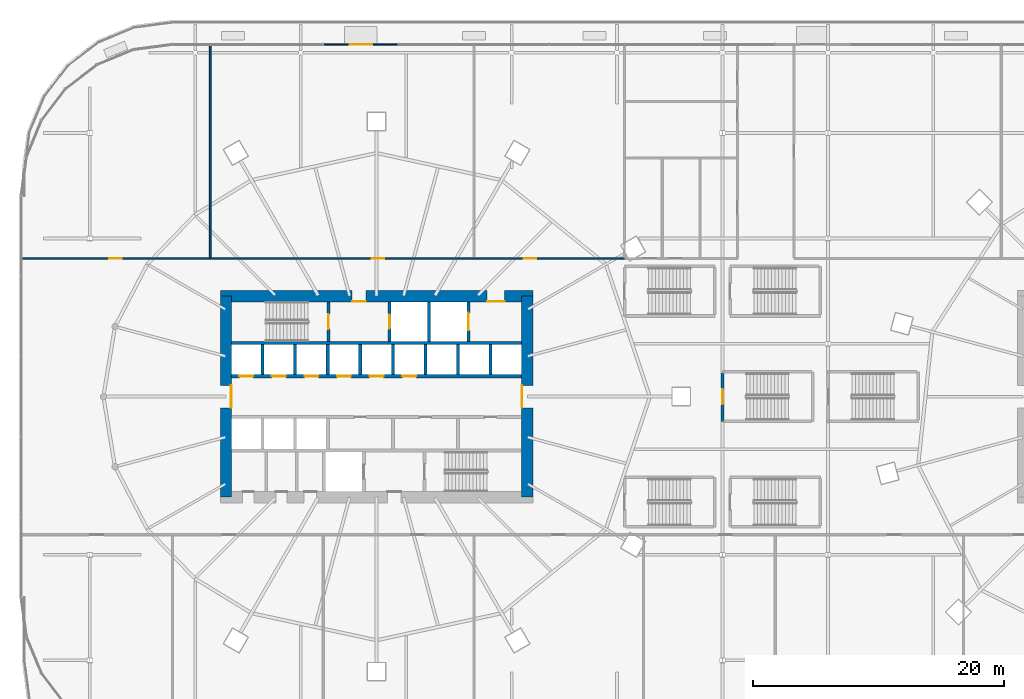
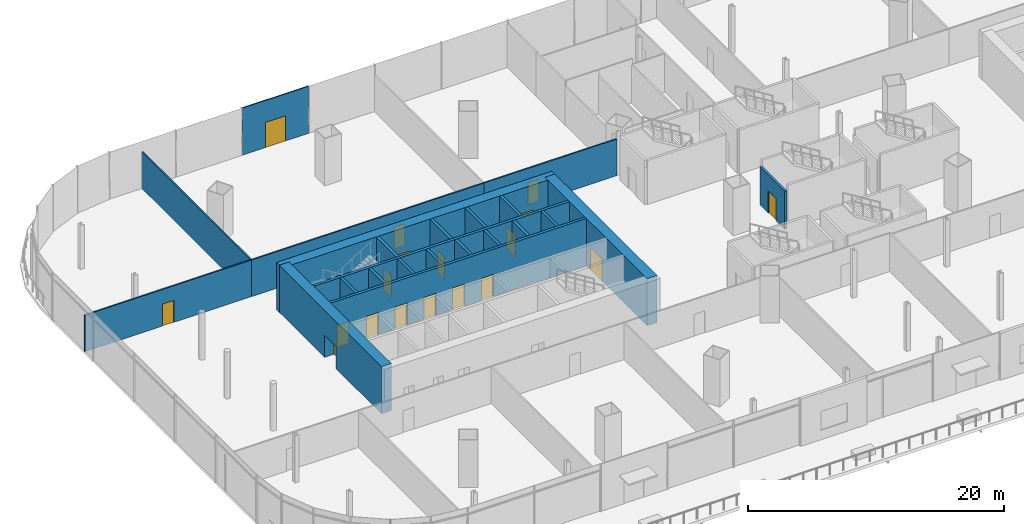
# One storey, part 35 of 52: 23 walls, 18 doors, 18 openings.
"""IFC4 building model written with IfcOpenShell, lengths in metres."""

from ifc_helpers import new_model, si_unit, direction, frame, frame_2d, origin, place, context, subcontext, project, spatial, rectangle, extrude, material, layer, layer_set, type_object, element, fill, save


model = new_model("IFC4")

# Units and contexts
model_context = context("Model", 3, precision=1e-05, world=origin(), true_north=direction((0.0, 1.0)))
body_context = subcontext(model_context, "Body", "Model", "MODEL_VIEW")
ifc_project = project(units=[si_unit("LENGTHUNIT", "METRE"), si_unit("AREAUNIT", "SQUARE_METRE"), si_unit("VOLUMEUNIT", "CUBIC_METRE"), si_unit("PLANEANGLEUNIT", "RADIAN"), si_unit("MASSUNIT", "GRAM", prefix="KILO")], contexts=[model_context])

# Site, building, storey
site_placement = place(None, origin())
site = spatial("IfcSite", under=ifc_project, at=site_placement, CompositionType="ELEMENT")
building_placement = place(site_placement, origin())
building = spatial("IfcBuilding", under=site, at=building_placement, Name="Rimbun Link Towers", CompositionType="ELEMENT")
storey_placement = place(building_placement, frame((0.0, 0.0, 21.0)))
storey = spatial("IfcBuildingStorey", under=building, at=storey_placement, Name="L04", CompositionType="ELEMENT", Elevation=21.0)

# Wall, openings, doors
ifc_material_1 = material(Name="Concrete C60/75", Category="concrete")
ifc_layer_1 = layer(ifc_material_1, 0.89990234375)
ifc_layer_set_1 = layer_set([ifc_layer_1], Name="Core shear wall 900")
wall_type_1 = type_object("IfcWallType", Name="Core shear wall 900", PredefinedType="SHEAR", material=ifc_layer_set_1)
wall_1_placement = place(storey_placement, frame((-44.199951171875, 8.0, 0.0), z_axis=(0.0, 0.0, 1.0), x_axis=(1.0, 0.0, 0.0)))
wall_1 = element("IfcWall", 1, at=wall_1_placement, inside=storey, type_object=wall_type_1, Name="L04 T1 core wall N", PredefinedType="SHEAR", context=body_context, shape_type="SweptSolid", body=[
    extrude(rectangle(XDim=24.89990234375, YDim=0.89990234375, at=frame_2d((12.449951171875, 0.0))), origin(), (0.0, 0.0, 1.0), 4.5),
])
opening_1_placement = place(wall_1_placement, frame((10.5, 0.0, 0.0)))
opening_1 = element("IfcOpeningElement", 2, at=opening_1_placement, cuts=wall_1, Name="Opening C1DCF01N", PredefinedType="OPENING", context=body_context, shape_type="SweptSolid", body=[
    extrude(rectangle(XDim=1.10009765625, YDim=2.10009765625, at=frame_2d((0.550048828125, 1.050048828125))), frame((0.0, 0.4599609375, 0.0), z_axis=(0.0, -1.0, 0.0), x_axis=(1.0, 0.0, 0.0)), (0.0, 0.0, 1.0), 0.919921875),
])
opening_2_placement = place(wall_1_placement, frame((21.25, 0.0, 0.0)))
opening_2 = element("IfcOpeningElement", 3, at=opening_2_placement, cuts=wall_1, Name="Opening C1DSL02N", PredefinedType="OPENING", context=body_context, shape_type="SweptSolid", body=[
    extrude(rectangle(XDim=1.39990234375, YDim=2.10009765625, at=frame_2d((0.699951171875, 1.050048828125))), frame((0.0, 0.4599609375, 0.0), z_axis=(0.0, -1.0, 0.0), x_axis=(1.0, 0.0, 0.0)), (0.0, 0.0, 1.0), 0.919921875),
])
ifc_material_2 = material(Name="Steel fire door set", Category="steel")
door_type_1 = type_object("IfcDoorType", Name="Core fire door single", OperationType="SINGLE_SWING_LEFT", PredefinedType="DOOR", material=ifc_material_2)
door_1_placement = place(opening_1_placement, origin())
door_1 = element("IfcDoor", 4, at=door_1_placement, inside=storey, type_object=door_type_1, Name="L04 T1 firefighting lobby n door", OperationType="SINGLE_SWING_LEFT", OverallHeight=2.10009765625, OverallWidth=1.10009765625, PredefinedType="DOOR", context=body_context, shape_type="SweptSolid", body=[
    extrude(rectangle(XDim=1.10009765625, YDim=2.10009765625, at=frame_2d((0.550048828125, 1.050048828125))), frame((0.0, -0.39990234375, 0.0), z_axis=(0.0, -1.0, 0.0), x_axis=(1.0, 0.0, 0.0)), (0.0, 0.0, 1.0), 0.050048828125),
])
fill(opening_1, door_1)
ifc_material_3 = material(Name="Steel fire door set", Category="steel")
door_type_2 = type_object("IfcDoorType", Name="Service lobby door double", OperationType="DOUBLE_DOOR_SINGLE_SWING", PredefinedType="DOOR", material=ifc_material_3)
door_2_placement = place(opening_2_placement, origin())
door_2 = element("IfcDoor", 5, at=door_2_placement, inside=storey, type_object=door_type_2, Name="L04 T1 service lobby door", OperationType="DOUBLE_DOOR_SINGLE_SWING", OverallHeight=2.10009765625, OverallWidth=1.39990234375, PredefinedType="DOOR", context=body_context, shape_type="SweptSolid", body=[
    extrude(rectangle(XDim=1.39990234375, YDim=2.10009765625, at=frame_2d((0.699951171875, 1.050048828125))), frame((0.0, -0.39990234375, 0.0), z_axis=(0.0, -1.0, 0.0), x_axis=(1.0, 0.0, 0.0)), (0.0, 0.0, 1.0), 0.050048828125),
])
fill(opening_2, door_2)

# Wall, opening, door
wall_2_placement = place(storey_placement, frame((-19.75, -8.0, 0.0), z_axis=(0.0, 0.0, 1.0), x_axis=(0.0, 1.0, 0.0)))
wall_2 = element("IfcWall", 6, at=wall_2_placement, inside=storey, type_object=wall_type_1, Name="L04 T1 core wall E", PredefinedType="SHEAR", context=body_context, shape_type="SweptSolid", body=[
    extrude(rectangle(XDim=16.0, YDim=0.89990234375, at=frame_2d((8.0, 0.0))), origin(), (0.0, 0.0, 1.0), 4.5),
])
opening_3_placement = place(wall_2_placement, frame((7.10009765625, 0.0, 0.0)))
opening_3 = element("IfcOpeningElement", 7, at=opening_3_placement, cuts=wall_2, Name="Opening C1DCL01E", PredefinedType="OPENING", context=body_context, shape_type="SweptSolid", body=[
    extrude(rectangle(XDim=1.800048828125, YDim=2.10009765625, at=frame_2d((0.89990234375, 1.050048828125))), frame((0.0, 0.4599609375, 0.0), z_axis=(0.0, -1.0, 0.0), x_axis=(1.0, 0.0, 0.0)), (0.0, 0.0, 1.0), 0.919921875),
])
ifc_material_4 = material(Name="Steel fire door set", Category="steel")
door_type_3 = type_object("IfcDoorType", Name="Core lobby door double", OperationType="DOUBLE_DOOR_SINGLE_SWING", PredefinedType="DOOR", material=ifc_material_4)
door_3_placement = place(opening_3_placement, origin())
door_3 = element("IfcDoor", 8, at=door_3_placement, inside=storey, type_object=door_type_3, Name="L04 T1 lift lobby door", OperationType="DOUBLE_DOOR_SINGLE_SWING", OverallHeight=2.10009765625, OverallWidth=1.800048828125, PredefinedType="DOOR", context=body_context, shape_type="SweptSolid", body=[
    extrude(rectangle(XDim=1.800048828125, YDim=2.10009765625, at=frame_2d((0.89990234375, 1.050048828125))), frame((0.0, 0.4501953125, 0.0), z_axis=(0.0, -1.0, 0.0), x_axis=(1.0, 0.0, 0.0)), (0.0, 0.0, 1.0), 0.050048828125),
])
fill(opening_3, door_3)

wall_3_placement = place(storey_placement, frame((-43.75, -8.0, 0.0), z_axis=(0.0, 0.0, 1.0), x_axis=(0.0, 1.0, 0.0)))
wall_3 = element("IfcWall", 9, at=wall_3_placement, inside=storey, type_object=wall_type_1, Name="L04 T1 core wall W", PredefinedType="SHEAR", context=body_context, shape_type="SweptSolid", body=[
    extrude(rectangle(XDim=16.0, YDim=0.89990234375, at=frame_2d((8.0, 0.0))), origin(), (0.0, 0.0, 1.0), 4.5),
])
opening_4_placement = place(wall_3_placement, frame((7.10009765625, 0.0, 0.0)))
opening_4 = element("IfcOpeningElement", 10, at=opening_4_placement, cuts=wall_3, Name="Opening C1DCL01W", PredefinedType="OPENING", context=body_context, shape_type="SweptSolid", body=[
    extrude(rectangle(XDim=1.800048828125, YDim=2.10009765625, at=frame_2d((0.89990234375, 1.050048828125))), frame((0.0, 0.4599609375, 0.0), z_axis=(0.0, -1.0, 0.0), x_axis=(1.0, 0.0, 0.0)), (0.0, 0.0, 1.0), 0.919921875),
])
door_4_placement = place(opening_4_placement, origin())
door_4 = element("IfcDoor", 11, at=door_4_placement, inside=storey, type_object=door_type_3, Name="L04 T1 lift lobby door", OperationType="DOUBLE_DOOR_SINGLE_SWING", OverallHeight=2.10009765625, OverallWidth=1.800048828125, PredefinedType="DOOR", context=body_context, shape_type="SweptSolid", body=[
    extrude(rectangle(XDim=1.800048828125, YDim=2.10009765625, at=frame_2d((0.89990234375, 1.050048828125))), frame((0.0, -0.39990234375, 0.0), z_axis=(0.0, -1.0, 0.0), x_axis=(1.0, 0.0, 0.0)), (0.0, 0.0, 1.0), 0.050048828125),
])
fill(opening_4, door_4)

ifc_material_5 = material(Name="Aluminium framed insulated infill panel", Category="aluminium")
ifc_layer_2 = layer(ifc_material_5, 0.10009765625)
ifc_layer_set_2 = layer_set([ifc_layer_2], Name="ED framed infill wall 100")
wall_type_2 = type_object("IfcWallType", Name="ED framed infill wall 100", PredefinedType="STANDARD", material=ifc_layer_set_2)
wall_4_placement = place(storey_placement, frame((-35.97998046875, 28.050048828125, 0.0), z_axis=(0.0, 0.0, 1.0), x_axis=(1.0, 0.0, 0.0)))
wall_4 = element("IfcWall", 12, at=wall_4_placement, inside=storey, type_object=wall_type_2, Name="Framed door bay wall", PredefinedType="STANDARD", context=body_context, shape_type="SweptSolid", body=[
    extrude(rectangle(XDim=5.9599609375, YDim=0.10009765625, at=frame_2d((2.97998046875, 0.0))), origin(), (0.0, 0.0, 1.0), 4.5),
])
opening_5_placement = place(wall_4_placement, frame((2.080078125, 0.0, 0.0)))
opening_5 = element("IfcOpeningElement", 13, at=opening_5_placement, cuts=wall_4, Name="Opening ED40", PredefinedType="OPENING", context=body_context, shape_type="SweptSolid", body=[
    extrude(rectangle(XDim=1.800048828125, YDim=2.39990234375, at=frame_2d((0.89990234375, 1.199951171875))), frame((0.0, 0.06005859375, 0.0), z_axis=(0.0, -1.0, 0.0), x_axis=(1.0, 0.0, 0.0)), (0.0, 0.0, 1.0), 0.1201171875),
])
ifc_material_6 = material(Name="Aluminium framed glazed door, low-iron glass", Category="aluminium")
door_type_4 = type_object("IfcDoorType", Name="ED terrace door double leaf 1800X2400", OperationType="DOUBLE_DOOR_SINGLE_SWING", PredefinedType="DOOR", material=ifc_material_6)
door_5_placement = place(opening_5_placement, origin())
door_5 = element("IfcDoor", 14, at=door_5_placement, inside=storey, type_object=door_type_4, Name="Terrace door", OperationType="SINGLE_SWING_LEFT", OverallHeight=2.39990234375, OverallWidth=1.800048828125, PredefinedType="DOOR", context=body_context, shape_type="SweptSolid", body=[
    extrude(rectangle(XDim=1.800048828125, YDim=2.39990234375, at=frame_2d((0.89990234375, 1.199951171875))), frame((0.0, 0.02490234375, 0.0), z_axis=(0.0, -1.0, 0.0), x_axis=(1.0, 0.0, 0.0)), (0.0, 0.0, 1.0), 0.050048828125),
])
fill(opening_5, door_5)

ifc_material_7 = material(Name="Gypsum board on steel studs", Category="steel")
ifc_layer_3 = layer(ifc_material_7, 0.125)
ifc_layer_set_3 = layer_set([ifc_layer_3], Name="Partition 125 board on studs")
wall_type_3 = type_object("IfcWallType", Name="Partition 125 board on studs", PredefinedType="PARTITIONING", material=ifc_layer_set_3)
wall_5_placement = place(storey_placement, frame((-45.0, 11.0, 0.0), z_axis=(0.0, 0.0, 1.0), x_axis=(-1.0, 0.0, 0.0)))
wall_5 = element("IfcWall", 15, at=wall_5_placement, inside=storey, type_object=wall_type_3, Name="PD/PW/L04/038", PredefinedType="PARTITIONING", context=body_context, shape_type="SweptSolid", body=[
    extrude(rectangle(XDim=15.080078125, YDim=0.125, at=frame_2d((7.5400390625, 0.0))), origin(), (0.0, 0.0, 1.0), 3.49609375),
])
opening_6_placement = place(wall_5_placement, frame((7.0400390625, 0.0, 0.0)))
opening_6 = element("IfcOpeningElement", 16, at=opening_6_placement, cuts=wall_5, Name="Opening PD D04.16", PredefinedType="OPENING", context=body_context, shape_type="SweptSolid", body=[
    extrude(rectangle(XDim=1.0, YDim=2.10009765625, at=frame_2d((0.5, 1.050048828125))), frame((0.0, 0.072509765625, 0.0), z_axis=(0.0, -1.0, 0.0), x_axis=(1.0, 0.0, 0.0)), (0.0, 0.0, 1.0), 0.14501953125),
])
ifc_material_8 = material(Name="Timber door set", Category="wood")
door_type_5 = type_object("IfcDoorType", Name="Door single leaf 1000 x 2100", OperationType="NOTDEFINED", PredefinedType="DOOR", material=ifc_material_8)
door_6_placement = place(opening_6_placement, origin())
door_6 = element("IfcDoor", 17, at=door_6_placement, inside=storey, type_object=door_type_5, Name="PD/DR/L04/016", OperationType="SINGLE_SWING_LEFT", OverallHeight=2.10009765625, OverallWidth=1.0, PredefinedType="DOOR", context=body_context, shape_type="SweptSolid", body=[
    extrude(rectangle(XDim=1.0, YDim=2.10009765625, at=frame_2d((0.5, 1.050048828125))), frame((0.0, 0.02490234375, 0.0), z_axis=(0.0, -1.0, 0.0), x_axis=(1.0, 0.0, 0.0)), (0.0, 0.0, 1.0), 0.050048828125),
])
fill(opening_6, door_6)

wall_6_placement = place(storey_placement, frame((-24.0, 11.0, 0.0), z_axis=(0.0, 0.0, 1.0), x_axis=(-1.0, 0.0, 0.0)))
wall_6 = element("IfcWall", 18, at=wall_6_placement, inside=storey, type_object=wall_type_3, Name="PD/PW/L04/039", PredefinedType="PARTITIONING", context=body_context, shape_type="SweptSolid", body=[
    extrude(rectangle(XDim=21.0, YDim=0.125, at=frame_2d((10.5, 0.0))), origin(), (0.0, 0.0, 1.0), 3.49609375),
])
opening_7_placement = place(wall_6_placement, frame((7.135009765625, 0.0, 0.0)))
opening_7 = element("IfcOpeningElement", 19, at=opening_7_placement, cuts=wall_6, Name="Opening PD D04.17", PredefinedType="OPENING", context=body_context, shape_type="SweptSolid", body=[
    extrude(rectangle(XDim=1.0, YDim=2.10009765625, at=frame_2d((0.5, 1.050048828125))), frame((0.0, 0.072509765625, 0.0), z_axis=(0.0, -1.0, 0.0), x_axis=(1.0, 0.0, 0.0)), (0.0, 0.0, 1.0), 0.14501953125),
])
door_7_placement = place(opening_7_placement, origin())
door_7 = element("IfcDoor", 20, at=door_7_placement, inside=storey, type_object=door_type_5, Name="PD/DR/L04/017", OperationType="SINGLE_SWING_RIGHT", OverallHeight=2.10009765625, OverallWidth=1.0, PredefinedType="DOOR", context=body_context, shape_type="SweptSolid", body=[
    extrude(rectangle(XDim=1.0, YDim=2.10009765625, at=frame_2d((0.5, 1.050048828125))), frame((0.0, 0.02490234375, 0.0), z_axis=(0.0, -1.0, 0.0), x_axis=(1.0, 0.0, 0.0)), (0.0, 0.0, 1.0), 0.050048828125),
])
fill(opening_7, door_7)

wall_7_placement = place(storey_placement, frame((-12.0, 11.0, 0.0), z_axis=(0.0, 0.0, 1.0), x_axis=(-1.0, 0.0, 0.0)))
wall_7 = element("IfcWall", 21, at=wall_7_placement, inside=storey, type_object=wall_type_3, Name="PD/PW/L04/040", PredefinedType="PARTITIONING", context=body_context, shape_type="SweptSolid", body=[
    extrude(rectangle(XDim=12.0, YDim=0.125, at=frame_2d((6.0, 0.0))), origin(), (0.0, 0.0, 1.0), 3.49609375),
])
opening_8_placement = place(wall_7_placement, frame((7.014892578125, 0.0, 0.0)))
opening_8 = element("IfcOpeningElement", 22, at=opening_8_placement, cuts=wall_7, Name="Opening PD D04.18", PredefinedType="OPENING", context=body_context, shape_type="SweptSolid", body=[
    extrude(rectangle(XDim=1.0, YDim=2.10009765625, at=frame_2d((0.5, 1.050048828125))), frame((0.0, 0.072509765625, 0.0), z_axis=(0.0, -1.0, 0.0), x_axis=(1.0, 0.0, 0.0)), (0.0, 0.0, 1.0), 0.14501953125),
])
door_8_placement = place(opening_8_placement, origin())
door_8 = element("IfcDoor", 23, at=door_8_placement, inside=storey, type_object=door_type_5, Name="PD/DR/L04/018", OperationType="SINGLE_SWING_LEFT", OverallHeight=2.10009765625, OverallWidth=1.0, PredefinedType="DOOR", context=body_context, shape_type="SweptSolid", body=[
    extrude(rectangle(XDim=1.0, YDim=2.10009765625, at=frame_2d((0.5, 1.050048828125))), frame((0.0, 0.02490234375, 0.0), z_axis=(0.0, -1.0, 0.0), x_axis=(1.0, 0.0, 0.0)), (0.0, 0.0, 1.0), 0.050048828125),
])
fill(opening_8, door_8)

# Walls
wall_8_placement = place(storey_placement, frame((-45.0, 11.0625, 0.0), z_axis=(0.0, 0.0, 1.0), x_axis=(0.0, 1.0, 0.0)))
element("IfcWall", 24, at=wall_8_placement, inside=storey, type_object=wall_type_3, Name="PD/PW/L04/067", PredefinedType="PARTITIONING", context=body_context, shape_type="SweptSolid", body=[
    extrude(rectangle(XDim=17.017578125, YDim=0.125, at=frame_2d((8.5087890625, 0.0))), origin(), (0.0, 0.0, 1.0), 3.49609375),
])
ifc_material_9 = material(Name="Concrete C60/75", Category="concrete")
ifc_layer_4 = layer(ifc_material_9, 0.25)
ifc_layer_set_4 = layer_set([ifc_layer_4], Name="Shaft wall 250")
wall_type_4 = type_object("IfcWallType", Name="Shaft wall 250", PredefinedType="SHEAR", material=ifc_layer_set_4)
wall_9_placement = place(storey_placement, frame((-43.300048828125, 4.27490234375, 0.0), z_axis=(0.0, 0.0, 1.0), x_axis=(1.0, 0.0, 0.0)))
element("IfcWall", 25, at=wall_9_placement, inside=storey, type_object=wall_type_4, Name="L04 T1 core wall BN", PredefinedType="SHEAR", context=body_context, shape_type="SweptSolid", body=[
    extrude(rectangle(XDim=23.10009765625, YDim=0.25, at=frame_2d((11.550048828125, 0.0))), origin(), (0.0, 0.0, 1.0), 4.5),
])

# Wall, openings, doors
wall_10_placement = place(storey_placement, frame((-43.300048828125, 1.625, 0.0), z_axis=(0.0, 0.0, 1.0), x_axis=(1.0, 0.0, 0.0)))
wall_10 = element("IfcWall", 26, at=wall_10_placement, inside=storey, type_object=wall_type_4, Name="L04 T1 core wall FN", PredefinedType="SHEAR", context=body_context, shape_type="SweptSolid", body=[
    extrude(rectangle(XDim=23.10009765625, YDim=0.25, at=frame_2d((11.550048828125, 0.0))), origin(), (0.0, 0.0, 1.0), 4.5),
])
opening_9_placement = place(wall_10_placement, frame((0.622314453125, 0.0, 0.0)))
opening_9 = element("IfcOpeningElement", 27, at=opening_9_placement, cuts=wall_10, Name="Opening LD-T1-LR1", PredefinedType="OPENING", context=body_context, shape_type="SweptSolid", body=[
    extrude(rectangle(XDim=1.10009765625, YDim=2.10009765625, at=frame_2d((0.550048828125, 1.050048828125))), frame((0.0, 0.135009765625, 0.0), z_axis=(0.0, -1.0, 0.0), x_axis=(1.0, 0.0, 0.0)), (0.0, 0.0, 1.0), 0.27001953125),
])
opening_10_placement = place(wall_10_placement, frame((3.216796875, 0.0, 0.0)))
opening_10 = element("IfcOpeningElement", 28, at=opening_10_placement, cuts=wall_10, Name="Opening LD-T1-LR2", PredefinedType="OPENING", context=body_context, shape_type="SweptSolid", body=[
    extrude(rectangle(XDim=1.10009765625, YDim=2.10009765625, at=frame_2d((0.550048828125, 1.050048828125))), frame((0.0, 0.135009765625, 0.0), z_axis=(0.0, -1.0, 0.0), x_axis=(1.0, 0.0, 0.0)), (0.0, 0.0, 1.0), 0.27001953125),
])
opening_11_placement = place(wall_10_placement, frame((5.81103515625, 0.0, 0.0)))
opening_11 = element("IfcOpeningElement", 29, at=opening_11_placement, cuts=wall_10, Name="Opening LD-T1-LR3", PredefinedType="OPENING", context=body_context, shape_type="SweptSolid", body=[
    extrude(rectangle(XDim=1.10009765625, YDim=2.10009765625, at=frame_2d((0.550048828125, 1.050048828125))), frame((0.0, 0.135009765625, 0.0), z_axis=(0.0, -1.0, 0.0), x_axis=(1.0, 0.0, 0.0)), (0.0, 0.0, 1.0), 0.27001953125),
])
opening_12_placement = place(wall_10_placement, frame((8.405517578125, 0.0, 0.0)))
opening_12 = element("IfcOpeningElement", 30, at=opening_12_placement, cuts=wall_10, Name="Opening LD-T1-LR4", PredefinedType="OPENING", context=body_context, shape_type="SweptSolid", body=[
    extrude(rectangle(XDim=1.10009765625, YDim=2.10009765625, at=frame_2d((0.550048828125, 1.050048828125))), frame((0.0, 0.135009765625, 0.0), z_axis=(0.0, -1.0, 0.0), x_axis=(1.0, 0.0, 0.0)), (0.0, 0.0, 1.0), 0.27001953125),
])
opening_13_placement = place(wall_10_placement, frame((11.0, 0.0, 0.0)))
opening_13 = element("IfcOpeningElement", 31, at=opening_13_placement, cuts=wall_10, Name="Opening LD-T1-LR5", PredefinedType="OPENING", context=body_context, shape_type="SweptSolid", body=[
    extrude(rectangle(XDim=1.10009765625, YDim=2.10009765625, at=frame_2d((0.550048828125, 1.050048828125))), frame((0.0, 0.135009765625, 0.0), z_axis=(0.0, -1.0, 0.0), x_axis=(1.0, 0.0, 0.0)), (0.0, 0.0, 1.0), 0.27001953125),
])
opening_14_placement = place(wall_10_placement, frame((13.594482421875, 0.0, 0.0)))
opening_14 = element("IfcOpeningElement", 32, at=opening_14_placement, cuts=wall_10, Name="Opening LD-T1-LR6", PredefinedType="OPENING", context=body_context, shape_type="SweptSolid", body=[
    extrude(rectangle(XDim=1.10009765625, YDim=2.10009765625, at=frame_2d((0.550048828125, 1.050048828125))), frame((0.0, 0.135009765625, 0.0), z_axis=(0.0, -1.0, 0.0), x_axis=(1.0, 0.0, 0.0)), (0.0, 0.0, 1.0), 0.27001953125),
])
ifc_material_10 = material(Name="Stainless steel grade 316", Category="steel")
door_type_6 = type_object("IfcDoorType", Name="Lift landing door", OperationType="DOUBLE_DOOR_SLIDING", PredefinedType="DOOR", material=ifc_material_10)
door_9_placement = place(opening_9_placement, origin())
door_9 = element("IfcDoor", 33, at=door_9_placement, inside=storey, type_object=door_type_6, Name="L04 T1 lift LR1 landing door", OperationType="DOUBLE_DOOR_SLIDING", OverallHeight=2.10009765625, OverallWidth=1.10009765625, PredefinedType="DOOR", context=body_context, shape_type="SweptSolid", body=[
    extrude(rectangle(XDim=1.10009765625, YDim=2.10009765625, at=frame_2d((0.550048828125, 1.050048828125))), frame((0.0, 0.02490234375, 0.0), z_axis=(0.0, -1.0, 0.0), x_axis=(1.0, 0.0, 0.0)), (0.0, 0.0, 1.0), 0.050048828125),
])
fill(opening_9, door_9)
door_10_placement = place(opening_10_placement, origin())
door_10 = element("IfcDoor", 34, at=door_10_placement, inside=storey, type_object=door_type_6, Name="L04 T1 lift LR2 landing door", OperationType="DOUBLE_DOOR_SLIDING", OverallHeight=2.10009765625, OverallWidth=1.10009765625, PredefinedType="DOOR", context=body_context, shape_type="SweptSolid", body=[
    extrude(rectangle(XDim=1.10009765625, YDim=2.10009765625, at=frame_2d((0.550048828125, 1.050048828125))), frame((0.0, 0.02490234375, 0.0), z_axis=(0.0, -1.0, 0.0), x_axis=(1.0, 0.0, 0.0)), (0.0, 0.0, 1.0), 0.050048828125),
])
fill(opening_10, door_10)
door_11_placement = place(opening_11_placement, origin())
door_11 = element("IfcDoor", 35, at=door_11_placement, inside=storey, type_object=door_type_6, Name="L04 T1 lift LR3 landing door", OperationType="DOUBLE_DOOR_SLIDING", OverallHeight=2.10009765625, OverallWidth=1.10009765625, PredefinedType="DOOR", context=body_context, shape_type="SweptSolid", body=[
    extrude(rectangle(XDim=1.10009765625, YDim=2.10009765625, at=frame_2d((0.550048828125, 1.050048828125))), frame((0.0, 0.02490234375, 0.0), z_axis=(0.0, -1.0, 0.0), x_axis=(1.0, 0.0, 0.0)), (0.0, 0.0, 1.0), 0.050048828125),
])
fill(opening_11, door_11)
door_12_placement = place(opening_12_placement, origin())
door_12 = element("IfcDoor", 36, at=door_12_placement, inside=storey, type_object=door_type_6, Name="L04 T1 lift LR4 landing door", OperationType="DOUBLE_DOOR_SLIDING", OverallHeight=2.10009765625, OverallWidth=1.10009765625, PredefinedType="DOOR", context=body_context, shape_type="SweptSolid", body=[
    extrude(rectangle(XDim=1.10009765625, YDim=2.10009765625, at=frame_2d((0.550048828125, 1.050048828125))), frame((0.0, 0.02490234375, 0.0), z_axis=(0.0, -1.0, 0.0), x_axis=(1.0, 0.0, 0.0)), (0.0, 0.0, 1.0), 0.050048828125),
])
fill(opening_12, door_12)
door_13_placement = place(opening_13_placement, origin())
door_13 = element("IfcDoor", 37, at=door_13_placement, inside=storey, type_object=door_type_6, Name="L04 T1 lift LR5 landing door", OperationType="DOUBLE_DOOR_SLIDING", OverallHeight=2.10009765625, OverallWidth=1.10009765625, PredefinedType="DOOR", context=body_context, shape_type="SweptSolid", body=[
    extrude(rectangle(XDim=1.10009765625, YDim=2.10009765625, at=frame_2d((0.550048828125, 1.050048828125))), frame((0.0, 0.02490234375, 0.0), z_axis=(0.0, -1.0, 0.0), x_axis=(1.0, 0.0, 0.0)), (0.0, 0.0, 1.0), 0.050048828125),
])
fill(opening_13, door_13)
door_14_placement = place(opening_14_placement, origin())
door_14 = element("IfcDoor", 38, at=door_14_placement, inside=storey, type_object=door_type_6, Name="L04 T1 lift LR6 landing door", OperationType="DOUBLE_DOOR_SLIDING", OverallHeight=2.10009765625, OverallWidth=1.10009765625, PredefinedType="DOOR", context=body_context, shape_type="SweptSolid", body=[
    extrude(rectangle(XDim=1.10009765625, YDim=2.10009765625, at=frame_2d((0.550048828125, 1.050048828125))), frame((0.0, 0.02490234375, 0.0), z_axis=(0.0, -1.0, 0.0), x_axis=(1.0, 0.0, 0.0)), (0.0, 0.0, 1.0), 0.050048828125),
])
fill(opening_14, door_14)

# Walls
for number, where, z_axis, x_axis, name in (
    (39, (-40.83056640625, 1.75, 0.0), (0.0, 0.0, 1.0), (0.0, 1.0, 0.0), "L04 T1 core wall DN0"),
    (40, (-38.236083984375, 1.75, 0.0), (0.0, 0.0, 1.0), (0.0, 1.0, 0.0), "L04 T1 core wall DN1"),
    (41, (-35.6416015625, 1.75, 0.0), (0.0, 0.0, 1.0), (0.0, 1.0, 0.0), "L04 T1 core wall DN2"),
    (42, (-33.047119140625, 1.75, 0.0), (0.0, 0.0, 1.0), (0.0, 1.0, 0.0), "L04 T1 core wall DN3"),
    (43, (-30.452880859375, 1.75, 0.0), (0.0, 0.0, 1.0), (0.0, 1.0, 0.0), "L04 T1 core wall DN4"),
    (44, (-27.8583984375, 1.75, 0.0), (0.0, 0.0, 1.0), (0.0, 1.0, 0.0), "L04 T1 core wall DN5"),
    (45, (-25.263916015625, 1.75, 0.0), (0.0, 0.0, 1.0), (0.0, 1.0, 0.0), "L04 T1 core wall DN6"),
    (46, (-22.66943359375, 1.75, 0.0), (0.0, 0.0, 1.0), (0.0, 1.0, 0.0), "L04 T1 core wall DN7"),
):
    element("IfcWall", number, at=place(storey_placement, frame(where, z_axis=z_axis, x_axis=x_axis)), inside=storey, type_object=wall_type_4, Name=name, PredefinedType="SHEAR", context=body_context, shape_type="SweptSolid", body=[
        extrude(rectangle(XDim=2.39990234375, YDim=0.25, at=frame_2d((1.199951171875, 0.0))), origin(), (0.0, 0.0, 1.0), 4.5),
    ])

# Wall, opening, door
wall_11_placement = place(storey_placement, frame((-35.574951171875, 4.39990234375, 0.0), z_axis=(0.0, 0.0, 1.0), x_axis=(0.0, 1.0, 0.0)))
wall_11 = element("IfcWall", 47, at=wall_11_placement, inside=storey, type_object=wall_type_4, Name="L04 T1 core wall A1", PredefinedType="SHEAR", context=body_context, shape_type="SweptSolid", body=[
    extrude(rectangle(XDim=3.150146484375, YDim=0.25, at=frame_2d((1.5751953125, 0.0))), origin(), (0.0, 0.0, 1.0), 4.5),
])
opening_15_placement = place(wall_11_placement, frame((0.97509765625, 0.0, 0.0)))
opening_15 = element("IfcOpeningElement", 48, at=opening_15_placement, cuts=wall_11, Name="Opening C1DST01A1", PredefinedType="OPENING", context=body_context, shape_type="SweptSolid", body=[
    extrude(rectangle(XDim=1.199951171875, YDim=2.10009765625, at=frame_2d((0.60009765625, 1.050048828125))), frame((0.0, 0.135009765625, 0.0), z_axis=(0.0, -1.0, 0.0), x_axis=(1.0, 0.0, 0.0)), (0.0, 0.0, 1.0), 0.27001953125),
])
ifc_material_11 = material(Name="Steel fire door set", Category="steel")
door_type_7 = type_object("IfcDoorType", Name="Stair door", OperationType="SINGLE_SWING_LEFT", PredefinedType="DOOR", material=ifc_material_11)
door_15_placement = place(opening_15_placement, origin())
door_15 = element("IfcDoor", 49, at=door_15_placement, inside=storey, type_object=door_type_7, Name="L04 T1 stair a door", OperationType="SINGLE_SWING_RIGHT", OverallHeight=2.10009765625, OverallWidth=1.199951171875, PredefinedType="DOOR", context=body_context, shape_type="SweptSolid", body=[
    extrude(rectangle(XDim=1.199951171875, YDim=2.10009765625, at=frame_2d((0.60009765625, 1.050048828125))), frame((0.0, 0.02490234375, 0.0), z_axis=(0.0, -1.0, 0.0), x_axis=(1.0, 0.0, 0.0)), (0.0, 0.0, 1.0), 0.050048828125),
])
fill(opening_15, door_15)

wall_12_placement = place(storey_placement, frame((-30.72509765625, 4.39990234375, 0.0), z_axis=(0.0, 0.0, 1.0), x_axis=(0.0, 1.0, 0.0)))
wall_12 = element("IfcWall", 50, at=wall_12_placement, inside=storey, type_object=wall_type_4, Name="L04 T1 core wall A2", PredefinedType="SHEAR", context=body_context, shape_type="SweptSolid", body=[
    extrude(rectangle(XDim=3.150146484375, YDim=0.25, at=frame_2d((1.5751953125, 0.0))), origin(), (0.0, 0.0, 1.0), 4.5),
])
opening_16_placement = place(wall_12_placement, frame((1.02490234375, 0.0, 0.0)))
opening_16 = element("IfcOpeningElement", 51, at=opening_16_placement, cuts=wall_12, Name="Opening LD-T1-FF1", PredefinedType="OPENING", context=body_context, shape_type="SweptSolid", body=[
    extrude(rectangle(XDim=1.10009765625, YDim=2.10009765625, at=frame_2d((0.550048828125, 1.050048828125))), frame((0.0, 0.135009765625, 0.0), z_axis=(0.0, -1.0, 0.0), x_axis=(1.0, 0.0, 0.0)), (0.0, 0.0, 1.0), 0.27001953125),
])
door_16_placement = place(opening_16_placement, origin())
door_16 = element("IfcDoor", 52, at=door_16_placement, inside=storey, type_object=door_type_6, Name="L04 T1 lift FF1 landing door", OperationType="DOUBLE_DOOR_SLIDING", OverallHeight=2.10009765625, OverallWidth=1.10009765625, PredefinedType="DOOR", context=body_context, shape_type="SweptSolid", body=[
    extrude(rectangle(XDim=1.10009765625, YDim=2.10009765625, at=frame_2d((0.550048828125, 1.050048828125))), frame((0.0, 0.02490234375, 0.0), z_axis=(0.0, -1.0, 0.0), x_axis=(1.0, 0.0, 0.0)), (0.0, 0.0, 1.0), 0.050048828125),
])
fill(opening_16, door_16)

# Wall
wall_13_placement = place(storey_placement, frame((-27.574951171875, 4.39990234375, 0.0), z_axis=(0.0, 0.0, 1.0), x_axis=(0.0, 1.0, 0.0)))
element("IfcWall", 53, at=wall_13_placement, inside=storey, type_object=wall_type_4, Name="L04 T1 core wall A3", PredefinedType="SHEAR", context=body_context, shape_type="SweptSolid", body=[
    extrude(rectangle(XDim=3.150146484375, YDim=0.25, at=frame_2d((1.5751953125, 0.0))), origin(), (0.0, 0.0, 1.0), 4.5),
])

# Wall, opening, door
wall_14_placement = place(storey_placement, frame((-24.425048828125, 4.39990234375, 0.0), z_axis=(0.0, 0.0, 1.0), x_axis=(0.0, 1.0, 0.0)))
wall_14 = element("IfcWall", 54, at=wall_14_placement, inside=storey, type_object=wall_type_4, Name="L04 T1 core wall A4", PredefinedType="SHEAR", context=body_context, shape_type="SweptSolid", body=[
    extrude(rectangle(XDim=3.150146484375, YDim=0.25, at=frame_2d((1.5751953125, 0.0))), origin(), (0.0, 0.0, 1.0), 4.5),
])
opening_17_placement = place(wall_14_placement, frame((0.875, 0.0, 0.0)))
opening_17 = element("IfcOpeningElement", 55, at=opening_17_placement, cuts=wall_14, Name="Opening LD-T1-GL1", PredefinedType="OPENING", context=body_context, shape_type="SweptSolid", body=[
    extrude(rectangle(XDim=1.39990234375, YDim=2.10009765625, at=frame_2d((0.699951171875, 1.050048828125))), frame((0.0, 0.135009765625, 0.0), z_axis=(0.0, -1.0, 0.0), x_axis=(1.0, 0.0, 0.0)), (0.0, 0.0, 1.0), 0.27001953125),
])
ifc_material_12 = material(Name="Stainless steel grade 316", Category="steel")
door_type_8 = type_object("IfcDoorType", Name="Goods lift landing door", OperationType="DOUBLE_DOOR_SLIDING", PredefinedType="DOOR", material=ifc_material_12)
door_17_placement = place(opening_17_placement, origin())
door_17 = element("IfcDoor", 56, at=door_17_placement, inside=storey, type_object=door_type_8, Name="L04 T1 lift GL1 landing door", OperationType="DOUBLE_DOOR_SLIDING", OverallHeight=2.10009765625, OverallWidth=1.39990234375, PredefinedType="DOOR", context=body_context, shape_type="SweptSolid", body=[
    extrude(rectangle(XDim=1.39990234375, YDim=2.10009765625, at=frame_2d((0.699951171875, 1.050048828125))), frame((0.0, 0.02490234375, 0.0), z_axis=(0.0, -1.0, 0.0), x_axis=(1.0, 0.0, 0.0)), (0.0, 0.0, 1.0), 0.050048828125),
])
fill(opening_17, door_17)

ifc_material_13 = material(Name="Concrete C40/50", Category="concrete")
ifc_layer_5 = layer(ifc_material_13, 0.199951171875)
ifc_layer_set_5 = layer_set([ifc_layer_5], Name="Stair shaft wall 200")
wall_type_5 = type_object("IfcWallType", Name="Stair shaft wall 200", PredefinedType="SOLIDWALL", material=ifc_layer_set_5)
wall_15_placement = place(storey_placement, frame((-4.199951171875, 1.875, 0.0), z_axis=(0.0, 0.0, 1.0), x_axis=(0.0, -1.0, 0.0)))
wall_15 = element("IfcWall", 57, at=wall_15_placement, inside=storey, type_object=wall_type_5, Name="PD/PW/L04/023", PredefinedType="SOLIDWALL", context=body_context, shape_type="SweptSolid", body=[
    extrude(rectangle(XDim=3.85009765625, YDim=0.199951171875, at=frame_2d((1.925048828125, 0.0))), origin(), (0.0, 0.0, 1.0), 3.64697265625),
])
opening_18_placement = place(wall_15_placement, frame((1.27490234375, 0.0, 0.0)))
opening_18 = element("IfcOpeningElement", 58, at=opening_18_placement, cuts=wall_15, Name="Opening PD DS6", PredefinedType="OPENING", context=body_context, shape_type="SweptSolid", body=[
    extrude(rectangle(XDim=1.199951171875, YDim=2.10009765625, at=frame_2d((0.60009765625, 1.050048828125))), frame((0.0, 0.10986328125, 0.0), z_axis=(0.0, -1.0, 0.0), x_axis=(1.0, 0.0, 0.0)), (0.0, 0.0, 1.0), 0.219970703125),
])
door_18_placement = place(opening_18_placement, frame((1.199951171875, 0.0, 0.0), z_axis=(0.0, 0.0, 1.0), x_axis=(-1.0, 0.0, 0.0)))
door_18 = element("IfcDoor", 59, at=door_18_placement, inside=storey, type_object=door_type_7, Name="PD/DR/L04/S6", OperationType="SINGLE_SWING_LEFT", OverallHeight=2.10009765625, OverallWidth=1.199951171875, PredefinedType="DOOR", context=body_context, shape_type="SweptSolid", body=[
    extrude(rectangle(XDim=1.199951171875, YDim=2.10009765625, at=frame_2d((0.60009765625, 1.050048828125))), frame((0.0, 0.02490234375, 0.0), z_axis=(0.0, -1.0, 0.0), x_axis=(1.0, 0.0, 0.0)), (0.0, 0.0, 1.0), 0.050048828125),
])
fill(opening_18, door_18)

save(model, "model.ifc")
